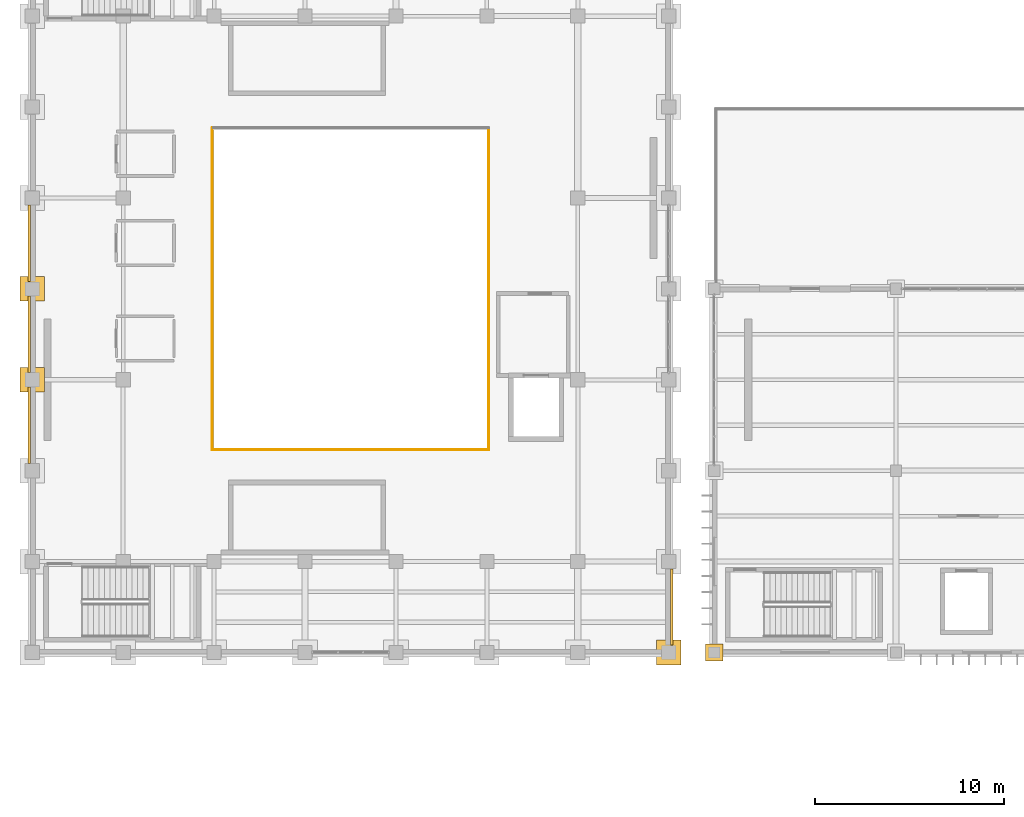
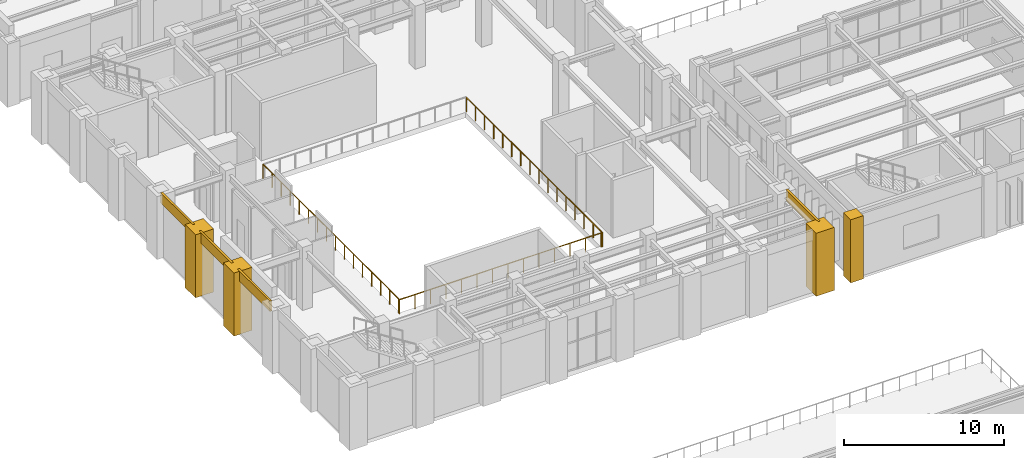
# One storey, part 69 of 83: 8 coverings, 3 railings.
"""IFC4 building model written with IfcOpenShell, lengths in metres."""

from ifc_helpers import new_model, si_unit, direction, frame, origin, origin_2d, place, context, subcontext, project, spatial, polyline, circle, outline, extrude, material, layer, layer_set, type_object, element, save


model = new_model("IFC4")

# Units and contexts
model_context = context("Model", 3, precision=1e-05, world=origin(), true_north=direction((0.0, 1.0)))
body_context = subcontext(model_context, "Body", "Model", "MODEL_VIEW")
ifc_project = project(units=[si_unit("LENGTHUNIT", "METRE"), si_unit("AREAUNIT", "SQUARE_METRE"), si_unit("VOLUMEUNIT", "CUBIC_METRE"), si_unit("PLANEANGLEUNIT", "RADIAN"), si_unit("MASSUNIT", "GRAM", prefix="KILO")], contexts=[model_context])

# Site, building, storey
site_placement = place(None, origin())
site = spatial("IfcSite", under=ifc_project, at=site_placement, CompositionType="ELEMENT")
building_placement = place(site_placement, origin())
building = spatial("IfcBuilding", under=site, at=building_placement, Name="Mavantir Sound Aquarium", CompositionType="ELEMENT")
storey_placement = place(building_placement, frame((0.0, 0.0, 10.5)))
storey = spatial("IfcBuildingStorey", under=building, at=storey_placement, Name="L02", CompositionType="ELEMENT", Elevation=10.5)

# Coverings
ifc_material_1 = material(Name="Honed Coral-Limestone & Glazed Terracotta Rainscreen Cladding", Category="masonry")
ifc_layer = layer(ifc_material_1, 0.06005859375, Name="Honed Coral-Limestone & Glazed Terracotta Rainscreen Cladding")
ifc_layer_set = layer_set([ifc_layer], Name="Honed Coral-Limestone & Glazed Terracotta Rainscreen Cladding")
covering_type = type_object("IfcCoveringType", Name="COV-CLAD-TC", PredefinedType="CLADDING", material=ifc_layer_set)
covering_1_placement = place(storey_placement, frame((0.0, 0.0, 3.962890625)))
element("IfcCovering", 1, at=covering_1_placement, inside=storey, type_object=covering_type, Name="L02 Postmodern coral-limestone spandrel frieze 285", PredefinedType="CLADDING", context=body_context, shape_type="SweptSolid", body=[
    extrude(outline(polyline([(33.68994140625, 41.18310546875), (33.68994140625, 45.217041015625), (33.840087890625, 45.217041015625), (33.840087890625, 41.18310546875), (33.68994140625, 41.18310546875)])), origin(), (0.0, 0.0, 1.0), 0.837158203125),
])
covering_2_placement = place(storey_placement, frame((0.0, 0.0, 4.008056640625)))
element("IfcCovering", 2, at=covering_2_placement, inside=storey, type_object=covering_type, Name="L02 Postmodern coral-limestone spandrel frieze 302", PredefinedType="CLADDING", context=body_context, shape_type="SweptSolid", body=[
    extrude(outline(polyline([(-0.090087890625, 64.4169921875), (-0.090087890625, 60.383056640625), (-0.239990234375, 60.383056640625), (-0.239990234375, 64.4169921875), (-0.090087890625, 64.4169921875)])), origin(), (0.0, 0.0, 1.0), 0.7919921875),
])
covering_3_placement = place(storey_placement, frame((0.0, 0.0, 4.008056640625)))
element("IfcCovering", 3, at=covering_3_placement, inside=storey, type_object=covering_type, Name="L02 Postmodern coral-limestone spandrel frieze 303", PredefinedType="CLADDING", context=body_context, shape_type="SweptSolid", body=[
    extrude(outline(polyline([(-0.090087890625, 59.616943359375), (-0.090087890625, 55.5830078125), (-0.239990234375, 55.5830078125), (-0.239990234375, 59.616943359375), (-0.090087890625, 59.616943359375)])), origin(), (0.0, 0.0, 1.0), 0.7919921875),
])
covering_4_placement = place(storey_placement, frame((0.0, 0.0, 4.008056640625)))
element("IfcCovering", 4, at=covering_4_placement, inside=storey, type_object=covering_type, Name="L02 Postmodern coral-limestone spandrel frieze 304", PredefinedType="CLADDING", context=body_context, shape_type="SweptSolid", body=[
    extrude(outline(polyline([(-0.090087890625, 54.81689453125), (-0.090087890625, 50.782958984375), (-0.239990234375, 50.782958984375), (-0.239990234375, 54.81689453125), (-0.090087890625, 54.81689453125)])), origin(), (0.0, 0.0, 1.0), 0.7919921875),
])
covering_5_placement = place(storey_placement, origin())
element("IfcCovering", 5, at=covering_5_placement, inside=storey, type_object=covering_type, Name="L02 Postmodern coral-limestone pilaster casing 15", PredefinedType="CLADDING", context=body_context, shape_type="SweptSolid", body=[
    extrude(outline(polyline([(-0.64990234375, 54.550048828125), (0.64990234375, 54.550048828125), (0.64990234375, 55.85009765625), (-0.64990234375, 55.85009765625), (-0.64990234375, 54.550048828125)])), origin(), (0.0, 0.0, 1.0), 4.800048828125),
])
covering_6_placement = place(storey_placement, origin())
element("IfcCovering", 6, at=covering_6_placement, inside=storey, type_object=covering_type, Name="L02 Postmodern coral-limestone pilaster casing 19", PredefinedType="CLADDING", context=body_context, shape_type="SweptSolid", body=[
    extrude(outline(polyline([(-0.64990234375, 59.35009765625), (0.64990234375, 59.35009765625), (0.64990234375, 60.64990234375), (-0.64990234375, 60.64990234375), (-0.64990234375, 59.35009765625)])), origin(), (0.0, 0.0, 1.0), 4.800048828125),
])
covering_7_placement = place(storey_placement, origin())
element("IfcCovering", 7, at=covering_7_placement, inside=storey, type_object=covering_type, Name="L02 Postmodern coral-limestone pilaster casing 87", PredefinedType="CLADDING", context=body_context, shape_type="SweptSolid", body=[
    extrude(outline(polyline([(32.949951171875, 40.14990234375), (34.25, 40.14990234375), (34.25, 41.449951171875), (32.949951171875, 41.449951171875), (32.949951171875, 40.14990234375)])), origin(), (0.0, 0.0, 1.0), 4.800048828125),
])
covering_8_placement = place(storey_placement, origin())
element("IfcCovering", 8, at=covering_8_placement, inside=storey, type_object=covering_type, Name="L02 Postmodern coral-limestone pilaster casing 123", PredefinedType="CLADDING", context=body_context, shape_type="SweptSolid", body=[
    extrude(outline(polyline([(35.5400390625, 40.340087890625), (36.4599609375, 40.340087890625), (36.4599609375, 41.260009765625), (35.5400390625, 41.260009765625), (35.5400390625, 40.340087890625)])), origin(), (0.0, 0.0, 1.0), 4.800048828125),
])

# Railings
ifc_material_2 = material(Name="Stainless Steel 316 and Laminated Glass Guardrail", Category="steel")
railing_type = type_object("IfcRailingType", Name="RL-GUARD-110", PredefinedType="GUARDRAIL", material=ifc_material_2)
railing_1_placement = place(storey_placement, frame((9.5, 51.5, 0.0)))
element("IfcRailing", 9, at=railing_1_placement, inside=storey, type_object=railing_type, Name="L02 atrium void S guardrail 123", PredefinedType="GUARDRAIL", context=body_context, shape_type="SweptSolid", body=[
    extrude(circle(Radius=0.02392578125, at=origin_2d()), frame((0.0, 0.0, 1.076171875), z_axis=(1.0, 0.0, 0.0), x_axis=(0.0, 1.0, 0.0)), (0.0, 0.0, 1.0), 14.52001953125),
    extrude(circle(Radius=0.02099609375, at=origin_2d()), origin(), (0.0, 0.0, 1.0), 1.052001953125),
    extrude(circle(Radius=0.02099609375, at=origin_2d()), frame((1.116943359375, 0.0, 0.0)), (0.0, 0.0, 1.0), 1.052001953125),
    extrude(circle(Radius=0.02099609375, at=origin_2d()), frame((2.23388671875, 0.0, 0.0)), (0.0, 0.0, 1.0), 1.052001953125),
    extrude(circle(Radius=0.02099609375, at=origin_2d()), frame((3.350830078125, 0.0, 0.0)), (0.0, 0.0, 1.0), 1.052001953125),
    extrude(circle(Radius=0.02099609375, at=origin_2d()), frame((4.4677734375, 0.0, 0.0)), (0.0, 0.0, 1.0), 1.052001953125),
    extrude(circle(Radius=0.02099609375, at=origin_2d()), frame((5.584716796875, 0.0, 0.0)), (0.0, 0.0, 1.0), 1.052001953125),
    extrude(circle(Radius=0.02099609375, at=origin_2d()), frame((6.70166015625, 0.0, 0.0)), (0.0, 0.0, 1.0), 1.052001953125),
    extrude(circle(Radius=0.02099609375, at=origin_2d()), frame((7.818359375, 0.0, 0.0)), (0.0, 0.0, 1.0), 1.052001953125),
    extrude(circle(Radius=0.02099609375, at=origin_2d()), frame((8.935302734375, 0.0, 0.0)), (0.0, 0.0, 1.0), 1.052001953125),
    extrude(circle(Radius=0.02099609375, at=origin_2d()), frame((10.05224609375, 0.0, 0.0)), (0.0, 0.0, 1.0), 1.052001953125),
    extrude(circle(Radius=0.02099609375, at=origin_2d()), frame((11.169189453125, 0.0, 0.0)), (0.0, 0.0, 1.0), 1.052001953125),
    extrude(circle(Radius=0.02099609375, at=origin_2d()), frame((12.2861328125, 0.0, 0.0)), (0.0, 0.0, 1.0), 1.052001953125),
    extrude(circle(Radius=0.02099609375, at=origin_2d()), frame((13.403076171875, 0.0, 0.0)), (0.0, 0.0, 1.0), 1.052001953125),
    extrude(circle(Radius=0.02099609375, at=origin_2d()), frame((14.52001953125, 0.0, 0.0)), (0.0, 0.0, 1.0), 1.052001953125),
])
railing_2_placement = place(storey_placement, frame((24.10009765625, 51.5, 0.0)))
element("IfcRailing", 10, at=railing_2_placement, inside=storey, type_object=railing_type, Name="L02 atrium void E guardrail 124", PredefinedType="GUARDRAIL", context=body_context, shape_type="SweptSolid", body=[
    extrude(circle(Radius=0.02392578125, at=origin_2d()), frame((0.0, 0.0, 1.076171875), z_axis=(0.0, 1.0, 0.0), x_axis=(-1.0, 0.0, 0.0)), (0.0, 0.0, 1.0), 16.919921875),
    extrude(circle(Radius=0.02099609375, at=origin_2d()), origin(), (0.0, 0.0, 1.0), 1.052001953125),
    extrude(circle(Radius=0.02099609375, at=origin_2d()), frame((0.0, 1.1279296875, 0.0)), (0.0, 0.0, 1.0), 1.052001953125),
    extrude(circle(Radius=0.02099609375, at=origin_2d()), frame((0.0, 2.256103515625, 0.0)), (0.0, 0.0, 1.0), 1.052001953125),
    extrude(circle(Radius=0.02099609375, at=origin_2d()), frame((0.0, 3.384033203125, 0.0)), (0.0, 0.0, 1.0), 1.052001953125),
    extrude(circle(Radius=0.02099609375, at=origin_2d()), frame((0.0, 4.511962890625, 0.0)), (0.0, 0.0, 1.0), 1.052001953125),
    extrude(circle(Radius=0.02099609375, at=origin_2d()), frame((0.0, 5.639892578125, 0.0)), (0.0, 0.0, 1.0), 1.052001953125),
    extrude(circle(Radius=0.02099609375, at=origin_2d()), frame((0.0, 6.76806640625, 0.0)), (0.0, 0.0, 1.0), 1.052001953125),
    extrude(circle(Radius=0.02099609375, at=origin_2d()), frame((0.0, 7.89599609375, 0.0)), (0.0, 0.0, 1.0), 1.052001953125),
    extrude(circle(Radius=0.02099609375, at=origin_2d()), frame((0.0, 9.02392578125, 0.0)), (0.0, 0.0, 1.0), 1.052001953125),
    extrude(circle(Radius=0.02099609375, at=origin_2d()), frame((0.0, 10.15185546875, 0.0)), (0.0, 0.0, 1.0), 1.052001953125),
    extrude(circle(Radius=0.02099609375, at=origin_2d()), frame((0.0, 11.280029296875, 0.0)), (0.0, 0.0, 1.0), 1.052001953125),
    extrude(circle(Radius=0.02099609375, at=origin_2d()), frame((0.0, 12.407958984375, 0.0)), (0.0, 0.0, 1.0), 1.052001953125),
    extrude(circle(Radius=0.02099609375, at=origin_2d()), frame((0.0, 13.535888671875, 0.0)), (0.0, 0.0, 1.0), 1.052001953125),
    extrude(circle(Radius=0.02099609375, at=origin_2d()), frame((0.0, 14.663818359375, 0.0)), (0.0, 0.0, 1.0), 1.052001953125),
    extrude(circle(Radius=0.02099609375, at=origin_2d()), frame((0.0, 15.7919921875, 0.0)), (0.0, 0.0, 1.0), 1.052001953125),
    extrude(circle(Radius=0.02099609375, at=origin_2d()), frame((0.0, 16.919921875, 0.0)), (0.0, 0.0, 1.0), 1.052001953125),
])
railing_3_placement = place(storey_placement, frame((9.5, 68.5, 0.0)))
element("IfcRailing", 11, at=railing_3_placement, inside=storey, type_object=railing_type, Name="L02 atrium void W guardrail 126", PredefinedType="GUARDRAIL", context=body_context, shape_type="SweptSolid", body=[
    extrude(circle(Radius=0.02392578125, at=origin_2d()), frame((0.0, 0.0, 1.076171875), z_axis=(0.0, -1.0, 0.0), x_axis=(1.0, 0.0, 0.0)), (0.0, 0.0, 1.0), 16.919921875),
    extrude(circle(Radius=0.02099609375, at=origin_2d()), origin(), (0.0, 0.0, 1.0), 1.052001953125),
    extrude(circle(Radius=0.02099609375, at=origin_2d()), frame((0.0, -1.1279296875, 0.0)), (0.0, 0.0, 1.0), 1.052001953125),
    extrude(circle(Radius=0.02099609375, at=origin_2d()), frame((0.0, -2.256103515625, 0.0)), (0.0, 0.0, 1.0), 1.052001953125),
    extrude(circle(Radius=0.02099609375, at=origin_2d()), frame((0.0, -3.384033203125, 0.0)), (0.0, 0.0, 1.0), 1.052001953125),
    extrude(circle(Radius=0.02099609375, at=origin_2d()), frame((0.0, -4.511962890625, 0.0)), (0.0, 0.0, 1.0), 1.052001953125),
    extrude(circle(Radius=0.02099609375, at=origin_2d()), frame((0.0, -5.639892578125, 0.0)), (0.0, 0.0, 1.0), 1.052001953125),
    extrude(circle(Radius=0.02099609375, at=origin_2d()), frame((0.0, -6.76806640625, 0.0)), (0.0, 0.0, 1.0), 1.052001953125),
    extrude(circle(Radius=0.02099609375, at=origin_2d()), frame((0.0, -7.89599609375, 0.0)), (0.0, 0.0, 1.0), 1.052001953125),
    extrude(circle(Radius=0.02099609375, at=origin_2d()), frame((0.0, -9.02392578125, 0.0)), (0.0, 0.0, 1.0), 1.052001953125),
    extrude(circle(Radius=0.02099609375, at=origin_2d()), frame((0.0, -10.15185546875, 0.0)), (0.0, 0.0, 1.0), 1.052001953125),
    extrude(circle(Radius=0.02099609375, at=origin_2d()), frame((0.0, -11.280029296875, 0.0)), (0.0, 0.0, 1.0), 1.052001953125),
    extrude(circle(Radius=0.02099609375, at=origin_2d()), frame((0.0, -12.407958984375, 0.0)), (0.0, 0.0, 1.0), 1.052001953125),
    extrude(circle(Radius=0.02099609375, at=origin_2d()), frame((0.0, -13.535888671875, 0.0)), (0.0, 0.0, 1.0), 1.052001953125),
    extrude(circle(Radius=0.02099609375, at=origin_2d()), frame((0.0, -14.663818359375, 0.0)), (0.0, 0.0, 1.0), 1.052001953125),
    extrude(circle(Radius=0.02099609375, at=origin_2d()), frame((0.0, -15.7919921875, 0.0)), (0.0, 0.0, 1.0), 1.052001953125),
    extrude(circle(Radius=0.02099609375, at=origin_2d()), frame((0.0, -16.919921875, 0.0)), (0.0, 0.0, 1.0), 1.052001953125),
])

save(model, "model.ifc")
